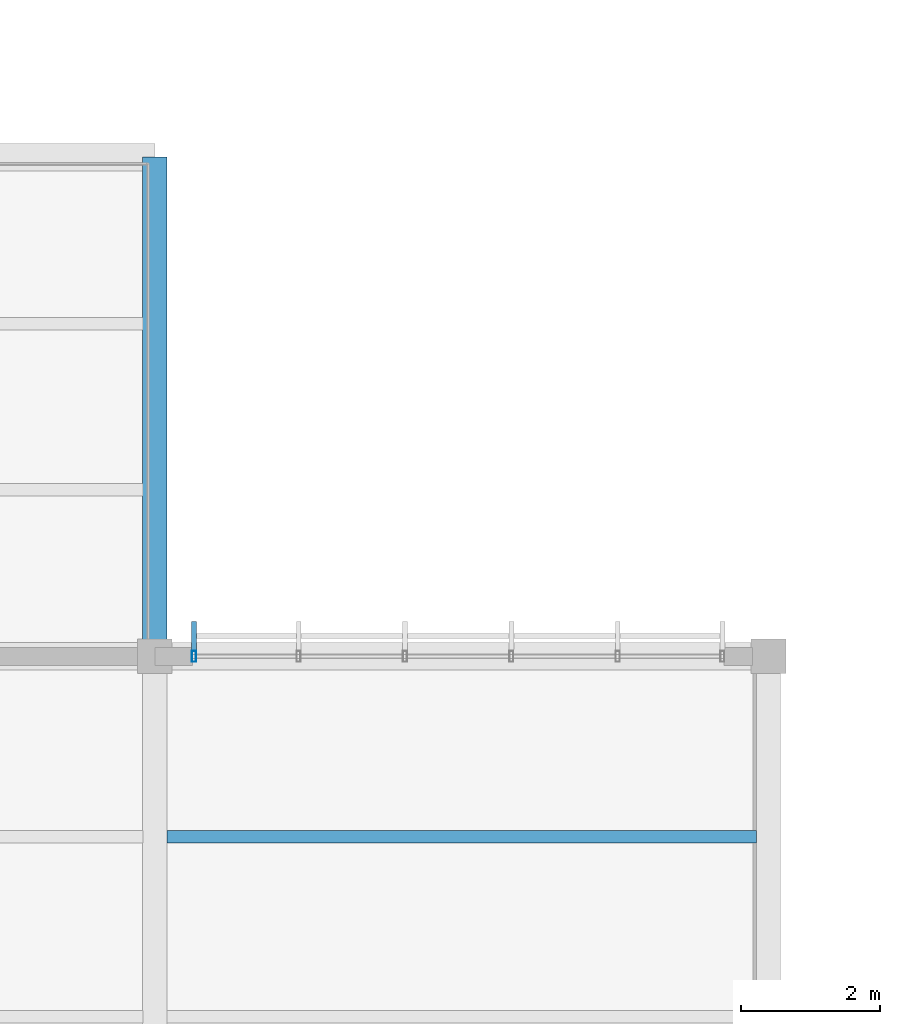
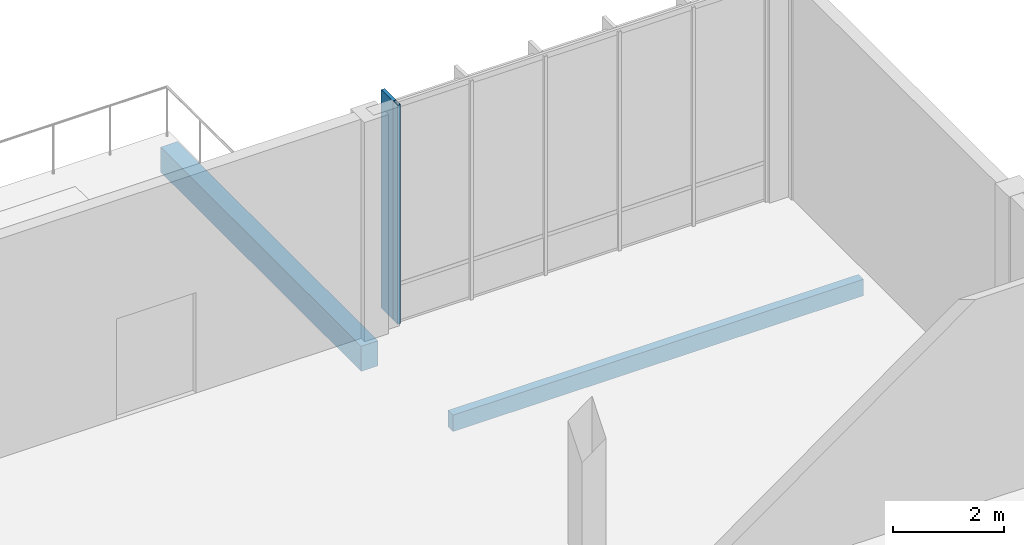
# One storey, part 56 of 177: 2 beams, 2 members, 1 element without a shape of its own.
"""IFC4 building model written with IfcOpenShell, lengths in metres."""

from ifc_helpers import new_model, si_unit, direction, frame, origin, origin_2d, place, context, subcontext, project, spatial, rectangle, hollow_rectangle, extrude, material, material_profile, profile_set, type_object, element, aggregate, save


model = new_model("IFC4")

# Units and contexts
model_context = context("Model", 3, precision=1e-05, world=origin(), true_north=direction((0.0, 1.0)))
body_context = subcontext(model_context, "Body", "Model", "MODEL_VIEW")
ifc_project = project(units=[si_unit("LENGTHUNIT", "METRE"), si_unit("AREAUNIT", "SQUARE_METRE"), si_unit("VOLUMEUNIT", "CUBIC_METRE"), si_unit("PLANEANGLEUNIT", "RADIAN"), si_unit("MASSUNIT", "GRAM", prefix="KILO")], contexts=[model_context])

# Site, building, storey
site_placement = place(None, origin())
site = spatial("IfcSite", under=ifc_project, at=site_placement, CompositionType="ELEMENT")
building_placement = place(site_placement, origin())
building = spatial("IfcBuilding", under=site, at=building_placement, Name="Chiffa Square Polytechnic", CompositionType="ELEMENT")
storey_placement = place(building_placement, frame((0.0, 0.0, 4.800048828125)))
storey = spatial("IfcBuildingStorey", under=building, at=storey_placement, Name="L01", CompositionType="ELEMENT", Elevation=4.800048828125)

# Beam
ifc_material_1 = material(Name="Concrete C35/45", Category="concrete")
ifc_material_profile_1 = material_profile(ifc_material_1, rectangle(XDim=0.35009765625, YDim=0.550048828125, at=origin_2d()), Name="RC 350x550")
ifc_profile_set_1 = profile_set([ifc_material_profile_1], Name="Concrete C35/45")
beam_type_1 = type_object("IfcBeamType", Name="BM-RC-350X550", PredefinedType="BEAM", material=ifc_profile_set_1)
beam_1_placement = place(storey_placement, frame((102.60009765625, 43.800048828125, -0.554931640625), z_axis=(0.0, 1.0, 0.0), x_axis=(-1.0, 0.0, 0.0)))
element("IfcBeam", 1, at=beam_1_placement, inside=storey, type_object=beam_type_1, Name="Primary floor girder BM-V4-L01-Y-1026-0438", PredefinedType="BEAM", context=body_context, shape_type="SweptSolid", body=[
    extrude(rectangle(XDim=0.35009765625, YDim=0.550048828125, at=origin_2d()), origin(), (0.0, 0.0, 1.0), 7.199951171875),
])

# Curtain wall, members
ifc_material_2 = material(Name="Aluminium EN AW-6060 T66 and glulam shading", Category="wood")
curtain_wall_type = type_object("IfcCurtainWallType", Name="CW-VERT-450X380", PredefinedType="USERDEFINED", material=ifc_material_2)
curtain_wall_placement = place(storey_placement, origin())
curtain_wall = element("IfcCurtainWall", 2, at=curtain_wall_placement, inside=storey, type_object=curtain_wall_type, Name="Curtain wall CW-V4-L01-186", ObjectType="CURTAIN WALL", PredefinedType="USERDEFINED")
ifc_material_3 = material(Name="Aluminium EN AW-6060 T66", Category="aluminium")
ifc_material_profile_2 = material_profile(ifc_material_3, hollow_rectangle(XDim=0.06005859375, YDim=0.159912109375, WallThickness=0.00390625, at=origin_2d()), Name="ALU 60x160x4")
ifc_profile_set_2 = profile_set([ifc_material_profile_2], Name="Aluminium EN AW-6060 T66")
member_type_1 = type_object("IfcMemberType", Name="CWM-ALU-65X150", PredefinedType="MULLION", material=ifc_profile_set_2)
member_1_placement = place(storey_placement, frame((103.1650390625, 43.800048828125, 0.0), z_axis=(0.0, 0.0, 1.0), x_axis=(1.0, 0.0, 0.0)))
member_1 = element("IfcMember", 3, at=member_1_placement, type_object=member_type_1, Name="Curtain wall mullion CW-V4-L01-186-M05", PredefinedType="MULLION", context=body_context, shape_type="SweptSolid", body=[
    extrude(hollow_rectangle(XDim=0.06005859375, YDim=0.159912109375, WallThickness=0.00390625, at=origin_2d()), origin(), (0.0, 0.0, 1.0), 4.800048828125),
])
ifc_material_4 = material(Name="Glulam GL28h", Category="wood")
ifc_material_profile_3 = material_profile(ifc_material_4, rectangle(XDim=0.070068359375, YDim=0.419921875, at=origin_2d()), Name="GL28h 70x420")
ifc_profile_set_3 = profile_set([ifc_material_profile_3], Name="Glulam GL28h")
member_type_2 = type_object("IfcMemberType", Name="CWM-GL-70X420", PredefinedType="MULLION", material=ifc_profile_set_3)
member_2_placement = place(storey_placement, frame((103.1650390625, 44.092041015625, 0.010009765625), z_axis=(0.0, 0.0, 1.0), x_axis=(-1.0, 0.0, 0.0)))
member_2 = element("IfcMember", 4, at=member_2_placement, type_object=member_type_2, Name="Exterior glulam solar fin CW-V4-L01-186-FN05", PredefinedType="MULLION", context=body_context, shape_type="SweptSolid", body=[
    extrude(rectangle(XDim=0.070068359375, YDim=0.419921875, at=origin_2d()), origin(), (0.0, 0.0, 1.0), 4.780029296875),
])
aggregate(curtain_wall, [member_1, member_2])

# Beam
ifc_material_profile_4 = material_profile(ifc_material_4, rectangle(XDim=0.179931640625, YDim=0.360107421875, at=origin_2d()), Name="GL28h 180x360")
ifc_profile_set_4 = profile_set([ifc_material_profile_4], Name="Glulam GL28h")
beam_type_2 = type_object("IfcBeamType", Name="JST-GL-180X360", PredefinedType="JOIST", material=ifc_profile_set_4)
beam_2_placement = place(storey_placement, frame((102.77294921875, 41.199951171875, -0.4599609375), z_axis=(1.0, 0.0, 0.0), x_axis=(0.0, 1.0, 0.0)))
element("IfcBeam", 5, at=beam_2_placement, inside=storey, type_object=beam_type_2, Name="Secondary floor joist JST-V4-L01-1026-0412", PredefinedType="JOIST", context=body_context, shape_type="SweptSolid", body=[
    extrude(rectangle(XDim=0.179931640625, YDim=0.360107421875, at=origin_2d()), origin(), (0.0, 0.0, 1.0), 8.504150390625),
])

save(model, "model.ifc")
